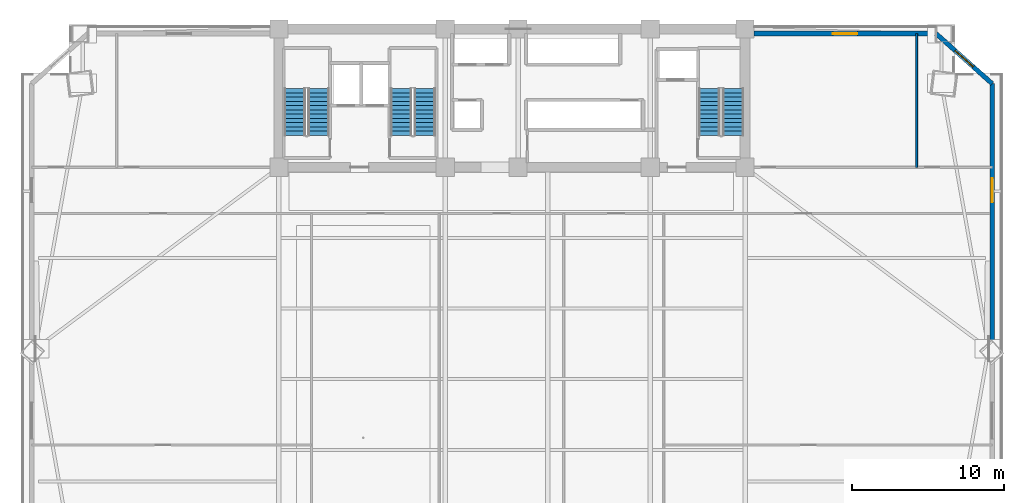
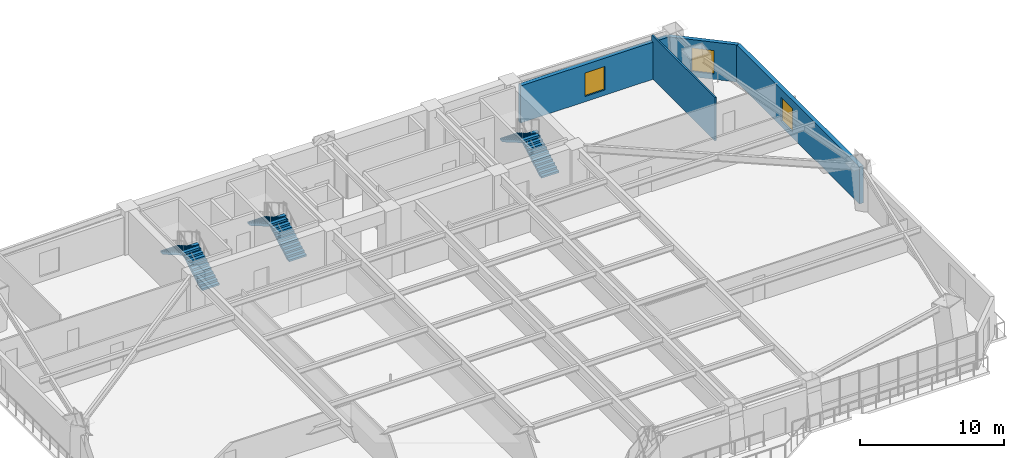
# One storey, part 11 of 17: 6 stair flights, 4 walls, 3 windows, 3 openings, 3 elements without a shape of their own.
"""IFC4 building model written with IfcOpenShell, lengths in metres."""

from ifc_helpers import new_model, si_unit, direction, frame, frame_2d, origin, place, context, subcontext, project, spatial, polyline, rectangle, outline, extrude, source, transform, mapped, material, layer, layer_set, type_object, element, fill, aggregate, save


model = new_model("IFC4")

# Units and contexts
model_context = context("Model", 3, precision=1e-05, world=origin(), true_north=direction((0.0, 1.0)))
body_context = subcontext(model_context, "Body", "Model", "MODEL_VIEW")
ifc_project = project(units=[si_unit("LENGTHUNIT", "METRE"), si_unit("AREAUNIT", "SQUARE_METRE"), si_unit("VOLUMEUNIT", "CUBIC_METRE"), si_unit("PLANEANGLEUNIT", "RADIAN"), si_unit("MASSUNIT", "GRAM", prefix="KILO")], contexts=[model_context])

# Site, building, storey
site_placement = place(None, origin())
site = spatial("IfcSite", under=ifc_project, at=site_placement, CompositionType="ELEMENT")
building_placement = place(site_placement, origin())
building = spatial("IfcBuilding", under=site, at=building_placement, Name="Giltprow Tower", CompositionType="ELEMENT")
storey_placement = place(building_placement, frame((0.0, 0.0, 57.199951171875)))
storey = spatial("IfcBuildingStorey", under=building, at=storey_placement, Name="L14", CompositionType="ELEMENT", Elevation=57.199951171875)

# Wall, opening, window
ifc_material_1 = material(Name="Precast concrete C40", Category="concrete")
ifc_layer_1 = layer(ifc_material_1, 0.300048828125, Name="Precast concrete C40")
ifc_layer_set_1 = layer_set([ifc_layer_1], Name="Precast concrete C40")
wall_type_1 = type_object("IfcWallType", Name="EW-NOTCH-CHAMFER-300", PredefinedType="SOLIDWALL", material=ifc_layer_set_1)
wall_1_placement = place(storey_placement, frame((66.830078125, 42.951904296875, 0.0), z_axis=(0.0, 0.0, 1.0), x_axis=(-0.746307341165, 0.665601496785, 0.0)))
wall_1 = element("IfcWall", 1, at=wall_1_placement, inside=storey, type_object=wall_type_1, Name="L14 Corner Notch Wall NE", PredefinedType="SOLIDWALL", context=body_context, shape_type="SweptSolid", body=[
    extrude(rectangle(XDim=4.955078125, YDim=0.300048828125, at=frame_2d((2.4775390625, 0.0))), origin(), (0.0, 0.0, 1.0), 3.16015625),
])
opening_1_placement = place(wall_1_placement, frame((1.677001953125, 0.0, 0.449951171875)))
opening_1 = element("IfcOpeningElement", 2, at=opening_1_placement, cuts=wall_1, Name="Opening WN17", PredefinedType="OPENING", context=body_context, shape_type="SweptSolid", body=[
    extrude(rectangle(XDim=1.60009765625, YDim=2.0, at=frame_2d((0.800048828125, 1.0))), frame((0.0, 0.159912109375, 0.0), z_axis=(0.0, -1.0, 0.0), x_axis=(1.0, 0.0, 0.0)), (0.0, 0.0, 1.0), 0.320068359375),
])
ifc_material_2 = material(Name="Insulated glass", Category="glass")
window_type = type_object("IfcWindowType", Name="WN-COR-1600x2000", PartitioningType="SINGLE_PANEL", PredefinedType="WINDOW", material=ifc_material_2)
shared_shape = source(origin(), body_context, "Body", "SweptSolid", [
    extrude(rectangle(XDim=1.60009765625, YDim=2.0, at=frame_2d((0.800048828125, 1.0))), frame((0.0, 0.030029296875, 0.0), z_axis=(0.0, -1.0, 0.0), x_axis=(1.0, 0.0, 0.0)), (0.0, 0.0, 1.0), 0.06005859375),
])
window_1_placement = place(opening_1_placement, origin())
window_1 = element("IfcWindow", 3, at=window_1_placement, inside=storey, type_object=window_type, Name="L14 Corner Notch Window NE", OverallHeight=2.0, OverallWidth=1.60009765625, PartitioningType="SINGLE_PANEL", PredefinedType="WINDOW", context=body_context, shape_type="MappedRepresentation", body=[
    mapped(shared_shape, transform((0.0, 0.0, 0.0), x_axis=(1.0, 0.0, 0.0), y_axis=(0.0, 1.0, 0.0), z_axis=(0.0, 0.0, 1.0), scale=1.0)),
])
fill(opening_1, window_1)

ifc_layer_2 = layer(ifc_material_1, 0.320068359375, Name="Precast concrete C40")
ifc_layer_set_2 = layer_set([ifc_layer_2], Name="Precast concrete C40")
wall_type_2 = type_object("IfcWallType", Name="EW-TOW-STONE-320", PredefinedType="SOLIDWALL", material=ifc_layer_set_2)
wall_2_placement = place(storey_placement, frame((66.830078125, 25.777099609375, 0.0), z_axis=(0.0, 0.0, 1.0), x_axis=(0.0, 1.0, 0.0)))
wall_2 = element("IfcWall", 4, at=wall_2_placement, inside=storey, type_object=wall_type_2, Name="L14 E Wing Masonry Wall 2", PredefinedType="SOLIDWALL", context=body_context, shape_type="SweptSolid", body=[
    extrude(rectangle(XDim=17.1748046875, YDim=0.320068359375, at=frame_2d((8.58740234375, 0.0))), origin(), (0.0, 0.0, 1.0), 3.16015625),
])
opening_2_placement = place(wall_2_placement, frame((9.35302734375, 0.0, 0.449951171875)))
opening_2 = element("IfcOpeningElement", 5, at=opening_2_placement, cuts=wall_2, Name="Opening WN17", PredefinedType="OPENING", context=body_context, shape_type="SweptSolid", body=[
    extrude(rectangle(XDim=1.60009765625, YDim=2.0, at=frame_2d((0.800048828125, 1.0))), frame((0.0, 0.169921875, 0.0), z_axis=(0.0, -1.0, 0.0), x_axis=(1.0, 0.0, 0.0)), (0.0, 0.0, 1.0), 0.340087890625),
])
window_2_placement = place(opening_2_placement, origin())
window_2 = element("IfcWindow", 6, at=window_2_placement, inside=storey, type_object=window_type, Name="L14 E Wing Window 2-1", OverallHeight=2.0, OverallWidth=1.60009765625, PartitioningType="SINGLE_PANEL", PredefinedType="WINDOW", context=body_context, shape_type="MappedRepresentation", body=[
    mapped(shared_shape, transform((0.0, 0.0, 0.0), x_axis=(1.0, 0.0, 0.0), y_axis=(0.0, 1.0, 0.0), z_axis=(0.0, 0.0, 1.0), scale=1.0)),
])
fill(opening_2, window_2)

wall_3_placement = place(storey_placement, frame((51.14990234375, 46.25, 0.0), z_axis=(0.0, 0.0, 1.0), x_axis=(1.0, 0.0, 0.0)))
wall_3 = element("IfcWall", 7, at=wall_3_placement, inside=storey, type_object=wall_type_2, Name="L14 North-East Wing Wall", PredefinedType="SOLIDWALL", context=body_context, shape_type="SweptSolid", body=[
    extrude(rectangle(XDim=11.982177734375, YDim=0.320068359375, at=frame_2d((5.9912109375, 0.0))), origin(), (0.0, 0.0, 1.0), 3.16015625),
])
opening_3_placement = place(wall_3_placement, frame((5.19091796875, 0.0, 0.449951171875)))
opening_3 = element("IfcOpeningElement", 8, at=opening_3_placement, cuts=wall_3, Name="Opening WN17", PredefinedType="OPENING", context=body_context, shape_type="SweptSolid", body=[
    extrude(rectangle(XDim=1.60009765625, YDim=2.0, at=frame_2d((0.800048828125, 1.0))), frame((0.0, 0.169921875, 0.0), z_axis=(0.0, -1.0, 0.0), x_axis=(1.0, 0.0, 0.0)), (0.0, 0.0, 1.0), 0.340087890625),
])
window_3_placement = place(opening_3_placement, origin())
window_3 = element("IfcWindow", 9, at=window_3_placement, inside=storey, type_object=window_type, Name="L14 North-East Window", OverallHeight=2.0, OverallWidth=1.60009765625, PartitioningType="SINGLE_PANEL", PredefinedType="WINDOW", context=body_context, shape_type="MappedRepresentation", body=[
    mapped(shared_shape, transform((0.0, 0.0, 0.0), x_axis=(1.0, 0.0, 0.0), y_axis=(0.0, 1.0, 0.0), z_axis=(0.0, 0.0, 1.0), scale=1.0)),
])
fill(opening_3, window_3)

# Wall
ifc_material_3 = material(Name="Concrete C30", Category="concrete")
ifc_layer_3 = layer(ifc_material_3, 0.1298828125, Name="Concrete C30")
ifc_layer_set_3 = layer_set([ifc_layer_3], Name="Concrete C30")
wall_type_3 = type_object("IfcWallType", Name="IW-WET-130", PredefinedType="PARTITIONING", material=ifc_layer_set_3)
wall_4_placement = place(storey_placement, frame((61.85205078125, 37.449951171875, 0.0), z_axis=(0.0, 0.0, 1.0), x_axis=(0.0, 1.0, 0.0)))
element("IfcWall", 10, at=wall_4_placement, inside=storey, type_object=wall_type_3, Name="L14 NE Wing Divider", PredefinedType="PARTITIONING", context=body_context, shape_type="SweptSolid", body=[
    extrude(rectangle(XDim=8.800048828125, YDim=0.1298828125, at=frame_2d((4.39990234375, 0.0))), origin(), (0.0, 0.0, 1.0), 3.679931640625),
])

# Stair, stair flights
ifc_material_4 = material(Name="Concrete C40", Category="concrete")
stair_type_1 = type_object("IfcStairType", Name="STR-ST-1", PredefinedType="HALF_TURN_STAIR", material=ifc_material_4)
stair_1_placement = place(storey_placement, origin())
stair_1 = element("IfcStair", 11, at=stair_1_placement, inside=storey, type_object=stair_type_1, Name="L14 Core Exit Stair ST-1", PredefinedType="HALF_TURN_STAIR")
stair_flight_type_1 = type_object("IfcStairFlightType", Name="SFL-ST-1", PredefinedType="STRAIGHT", material=ifc_material_4)
stair_flight_1_placement = place(storey_placement, frame((22.4599609375, 39.550048828125, 0.0), z_axis=(0.0, 0.0, 1.0), x_axis=(0.0, 1.0, 0.0)))
stair_flight_1 = element("IfcStairFlight", 12, at=stair_flight_1_placement, type_object=stair_flight_type_1, Name="ST-1 flight 1", NumberOfRisers=12, NumberOfTreads=11, PredefinedType="STRAIGHT", RiserHeight=0.1625, TreadLength=0.28, context=body_context, shape_type="SweptSolid", body=[
    extrude(outline(polyline([(0.0, 0.0), (0.0, 0.16259765625), (0.280029296875, 0.16259765625), (0.280029296875, 0.324951171875), (0.56005859375, 0.324951171875), (0.56005859375, 0.487548828125), (0.840087890625, 0.487548828125), (0.840087890625, 0.64990234375), (1.1201171875, 0.64990234375), (1.1201171875, 0.8125), (1.39990234375, 0.8125), (1.39990234375, 0.97509765625), (1.679931640625, 0.97509765625), (1.679931640625, 1.137451171875), (1.9599609375, 1.137451171875), (1.9599609375, 1.300048828125), (2.239990234375, 1.300048828125), (2.239990234375, 1.46240234375), (2.52001953125, 1.46240234375), (2.52001953125, 1.625), (2.800048828125, 1.625), (2.800048828125, 1.78759765625), (3.080078125, 1.78759765625), (3.080078125, 1.949951171875), (3.080078125, 1.6142578125), (0.298583984375, 0.0), (0.0, 0.0)])), frame((0.0, 0.699951171875, 0.0), z_axis=(0.0, -1.0, 0.0), x_axis=(1.0, 0.0, 0.0)), (0.0, 0.0, 1.0), 1.39990234375),
])
stair_flight_2_placement = place(storey_placement, frame((20.89990234375, 42.6298828125, 1.949951171875), z_axis=(0.0, 0.0, 1.0), x_axis=(0.0, -1.0, 0.0)))
stair_flight_2 = element("IfcStairFlight", 13, at=stair_flight_2_placement, type_object=stair_flight_type_1, Name="ST-1 flight 2", NumberOfRisers=12, NumberOfTreads=11, PredefinedType="STRAIGHT", RiserHeight=0.1625, TreadLength=0.28, context=body_context, shape_type="SweptSolid", body=[
    extrude(outline(polyline([(0.0, 0.0), (0.0, 0.16259765625), (0.280029296875, 0.16259765625), (0.280029296875, 0.324951171875), (0.56005859375, 0.324951171875), (0.56005859375, 0.487548828125), (0.840087890625, 0.487548828125), (0.840087890625, 0.64990234375), (1.1201171875, 0.64990234375), (1.1201171875, 0.8125), (1.39990234375, 0.8125), (1.39990234375, 0.97509765625), (1.679931640625, 0.97509765625), (1.679931640625, 1.137451171875), (1.9599609375, 1.137451171875), (1.9599609375, 1.300048828125), (2.239990234375, 1.300048828125), (2.239990234375, 1.46240234375), (2.52001953125, 1.46240234375), (2.52001953125, 1.625), (2.800048828125, 1.625), (2.800048828125, 1.78759765625), (3.080078125, 1.78759765625), (3.080078125, 1.949951171875), (3.080078125, 1.6142578125), (0.298583984375, 0.0), (0.0, 0.0)])), frame((0.0, 0.699951171875, 0.0), z_axis=(0.0, -1.0, 0.0), x_axis=(1.0, 0.0, 0.0)), (0.0, 0.0, 1.0), 1.39990234375),
])
aggregate(stair_1, [stair_flight_1, stair_flight_2])

stair_type_2 = type_object("IfcStairType", Name="STR-ST-2", PredefinedType="HALF_TURN_STAIR", material=ifc_material_4)
stair_2_placement = place(storey_placement, origin())
stair_2 = element("IfcStair", 14, at=stair_2_placement, inside=storey, type_object=stair_type_2, Name="L14 Core Exit Stair ST-2", PredefinedType="HALF_TURN_STAIR")
stair_flight_type_2 = type_object("IfcStairFlightType", Name="SFL-ST-2", PredefinedType="STRAIGHT", material=ifc_material_4)
stair_flight_3_placement = place(storey_placement, frame((29.4599609375, 39.550048828125, 0.0), z_axis=(0.0, 0.0, 1.0), x_axis=(0.0, 1.0, 0.0)))
stair_flight_3 = element("IfcStairFlight", 15, at=stair_flight_3_placement, type_object=stair_flight_type_2, Name="ST-2 flight 1", NumberOfRisers=12, NumberOfTreads=11, PredefinedType="STRAIGHT", RiserHeight=0.1625, TreadLength=0.28, context=body_context, shape_type="SweptSolid", body=[
    extrude(outline(polyline([(0.0, 0.0), (0.0, 0.16259765625), (0.280029296875, 0.16259765625), (0.280029296875, 0.324951171875), (0.56005859375, 0.324951171875), (0.56005859375, 0.487548828125), (0.840087890625, 0.487548828125), (0.840087890625, 0.64990234375), (1.1201171875, 0.64990234375), (1.1201171875, 0.8125), (1.39990234375, 0.8125), (1.39990234375, 0.97509765625), (1.679931640625, 0.97509765625), (1.679931640625, 1.137451171875), (1.9599609375, 1.137451171875), (1.9599609375, 1.300048828125), (2.239990234375, 1.300048828125), (2.239990234375, 1.46240234375), (2.52001953125, 1.46240234375), (2.52001953125, 1.625), (2.800048828125, 1.625), (2.800048828125, 1.78759765625), (3.080078125, 1.78759765625), (3.080078125, 1.949951171875), (3.080078125, 1.6142578125), (0.298583984375, 0.0), (0.0, 0.0)])), frame((0.0, 0.699951171875, 0.0), z_axis=(0.0, -1.0, 0.0), x_axis=(1.0, 0.0, 0.0)), (0.0, 0.0, 1.0), 1.39990234375),
])
stair_flight_4_placement = place(storey_placement, frame((27.89990234375, 42.6298828125, 1.949951171875), z_axis=(0.0, 0.0, 1.0), x_axis=(0.0, -1.0, 0.0)))
stair_flight_4 = element("IfcStairFlight", 16, at=stair_flight_4_placement, type_object=stair_flight_type_2, Name="ST-2 flight 2", NumberOfRisers=12, NumberOfTreads=11, PredefinedType="STRAIGHT", RiserHeight=0.1625, TreadLength=0.28, context=body_context, shape_type="SweptSolid", body=[
    extrude(outline(polyline([(0.0, 0.0), (0.0, 0.16259765625), (0.280029296875, 0.16259765625), (0.280029296875, 0.324951171875), (0.56005859375, 0.324951171875), (0.56005859375, 0.487548828125), (0.840087890625, 0.487548828125), (0.840087890625, 0.64990234375), (1.1201171875, 0.64990234375), (1.1201171875, 0.8125), (1.39990234375, 0.8125), (1.39990234375, 0.97509765625), (1.679931640625, 0.97509765625), (1.679931640625, 1.137451171875), (1.9599609375, 1.137451171875), (1.9599609375, 1.300048828125), (2.239990234375, 1.300048828125), (2.239990234375, 1.46240234375), (2.52001953125, 1.46240234375), (2.52001953125, 1.625), (2.800048828125, 1.625), (2.800048828125, 1.78759765625), (3.080078125, 1.78759765625), (3.080078125, 1.949951171875), (3.080078125, 1.6142578125), (0.298583984375, 0.0), (0.0, 0.0)])), frame((0.0, 0.699951171875, 0.0), z_axis=(0.0, -1.0, 0.0), x_axis=(1.0, 0.0, 0.0)), (0.0, 0.0, 1.0), 1.39990234375),
])
aggregate(stair_2, [stair_flight_3, stair_flight_4])

stair_type_3 = type_object("IfcStairType", Name="STR-ST-3", PredefinedType="HALF_TURN_STAIR", material=ifc_material_4)
stair_3_placement = place(storey_placement, origin())
stair_3 = element("IfcStair", 17, at=stair_3_placement, inside=storey, type_object=stair_type_3, Name="L14 Core Exit Stair ST-3", PredefinedType="HALF_TURN_STAIR")
stair_flight_type_3 = type_object("IfcStairFlightType", Name="SFL-ST-3", PredefinedType="STRAIGHT", material=ifc_material_4)
stair_flight_5_placement = place(storey_placement, frame((49.760009765625, 39.550048828125, 0.0), z_axis=(0.0, 0.0, 1.0), x_axis=(0.0, 1.0, 0.0)))
stair_flight_5 = element("IfcStairFlight", 18, at=stair_flight_5_placement, type_object=stair_flight_type_3, Name="ST-3 flight 1", NumberOfRisers=12, NumberOfTreads=11, PredefinedType="STRAIGHT", RiserHeight=0.1625, TreadLength=0.28, context=body_context, shape_type="SweptSolid", body=[
    extrude(outline(polyline([(0.0, 0.0), (0.0, 0.16259765625), (0.280029296875, 0.16259765625), (0.280029296875, 0.324951171875), (0.56005859375, 0.324951171875), (0.56005859375, 0.487548828125), (0.840087890625, 0.487548828125), (0.840087890625, 0.64990234375), (1.1201171875, 0.64990234375), (1.1201171875, 0.8125), (1.39990234375, 0.8125), (1.39990234375, 0.97509765625), (1.679931640625, 0.97509765625), (1.679931640625, 1.137451171875), (1.9599609375, 1.137451171875), (1.9599609375, 1.300048828125), (2.239990234375, 1.300048828125), (2.239990234375, 1.46240234375), (2.52001953125, 1.46240234375), (2.52001953125, 1.625), (2.800048828125, 1.625), (2.800048828125, 1.78759765625), (3.080078125, 1.78759765625), (3.080078125, 1.949951171875), (3.080078125, 1.6142578125), (0.298583984375, 0.0), (0.0, 0.0)])), frame((0.0, 0.699951171875, 0.0), z_axis=(0.0, -1.0, 0.0), x_axis=(1.0, 0.0, 0.0)), (0.0, 0.0, 1.0), 1.39990234375),
])
stair_flight_6_placement = place(storey_placement, frame((48.199951171875, 42.6298828125, 1.949951171875), z_axis=(0.0, 0.0, 1.0), x_axis=(0.0, -1.0, 0.0)))
stair_flight_6 = element("IfcStairFlight", 19, at=stair_flight_6_placement, type_object=stair_flight_type_3, Name="ST-3 flight 2", NumberOfRisers=12, NumberOfTreads=11, PredefinedType="STRAIGHT", RiserHeight=0.1625, TreadLength=0.28, context=body_context, shape_type="SweptSolid", body=[
    extrude(outline(polyline([(0.0, 0.0), (0.0, 0.16259765625), (0.280029296875, 0.16259765625), (0.280029296875, 0.324951171875), (0.56005859375, 0.324951171875), (0.56005859375, 0.487548828125), (0.840087890625, 0.487548828125), (0.840087890625, 0.64990234375), (1.1201171875, 0.64990234375), (1.1201171875, 0.8125), (1.39990234375, 0.8125), (1.39990234375, 0.97509765625), (1.679931640625, 0.97509765625), (1.679931640625, 1.137451171875), (1.9599609375, 1.137451171875), (1.9599609375, 1.300048828125), (2.239990234375, 1.300048828125), (2.239990234375, 1.46240234375), (2.52001953125, 1.46240234375), (2.52001953125, 1.625), (2.800048828125, 1.625), (2.800048828125, 1.78759765625), (3.080078125, 1.78759765625), (3.080078125, 1.949951171875), (3.080078125, 1.6142578125), (0.298583984375, 0.0), (0.0, 0.0)])), frame((0.0, 0.699951171875, 0.0), z_axis=(0.0, -1.0, 0.0), x_axis=(1.0, 0.0, 0.0)), (0.0, 0.0, 1.0), 1.39990234375),
])
aggregate(stair_3, [stair_flight_5, stair_flight_6])

save(model, "model.ifc")
